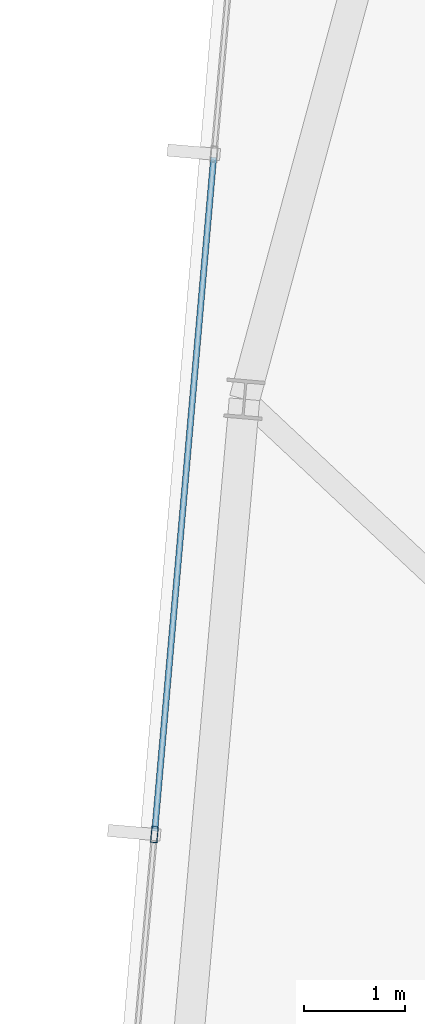
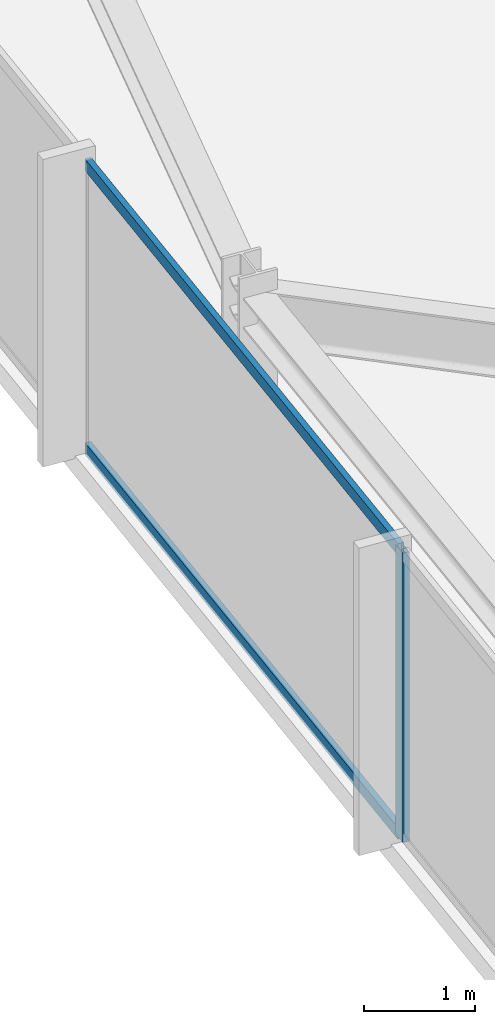
# One storey, part 9 of 33: 3 members, 1 element without a shape of its own.
"""IFC4 building model written with IfcOpenShell, lengths in metres."""

from ifc_helpers import new_model, si_unit, direction, frame, origin, origin_2d, place, context, subcontext, project, spatial, hollow_rectangle, extrude, material, material_profile, profile_set, type_object, element, aggregate, save


model = new_model("IFC4")

# Units and contexts
model_context = context("Model", 3, precision=1e-05, world=origin(), true_north=direction((0.0, 1.0)))
body_context = subcontext(model_context, "Body", "Model", "MODEL_VIEW")
ifc_project = project(units=[si_unit("LENGTHUNIT", "METRE"), si_unit("AREAUNIT", "SQUARE_METRE"), si_unit("VOLUMEUNIT", "CUBIC_METRE"), si_unit("PLANEANGLEUNIT", "RADIAN"), si_unit("MASSUNIT", "GRAM", prefix="KILO")], contexts=[model_context])

# Site, building, storey
site_placement = place(None, origin())
site = spatial("IfcSite", under=ifc_project, at=site_placement, CompositionType="ELEMENT")
building_placement = place(site_placement, origin())
building = spatial("IfcBuilding", under=site, at=building_placement, Name="Yelkora Congress Tower", CompositionType="ELEMENT")
storey_placement = place(building_placement, frame((0.0, 0.0, 289.699951171875)))
storey = spatial("IfcBuildingStorey", under=building, at=storey_placement, Name="L81", CompositionType="ELEMENT", Elevation=289.699951171875)

# Curtain wall, members
ifc_material_1 = material(Name="Anodised aluminium and insulated glass", Category="aluminium")
curtain_wall_type = type_object("IfcCurtainWallType", Name="CW-SYS-B5", PredefinedType="NOTDEFINED", material=ifc_material_1)
curtain_wall_placement = place(storey_placement, origin())
curtain_wall = element("IfcCurtainWall", 1, at=curtain_wall_placement, inside=storey, type_object=curtain_wall_type, Name="L81 Unitised Curtain Wall 5", PredefinedType="NOTDEFINED")
ifc_material_2 = material(Name="Anodised aluminium 6063-T6", Category="aluminium")
ifc_material_profile_1 = material_profile(ifc_material_2, hollow_rectangle(XDim=0.06494140625, YDim=0.159912109375, WallThickness=0.00390625, at=origin_2d()), Name="ALU 65x160x4")
ifc_profile_set_1 = profile_set([ifc_material_profile_1], Name="Anodised aluminium 6063-T6")
member_type_1 = type_object("IfcMemberType", Name="MEM-ML-B5", PredefinedType="MULLION", material=ifc_profile_set_1)
member_1_placement = place(storey_placement, frame((6.900146484375, 35.200927734375, 0.0), z_axis=(0.0, 0.0, 1.0), x_axis=(-0.996194785929, 0.08715473876, 0.0)))
member_1 = element("IfcMember", 2, at=member_1_placement, type_object=member_type_1, Name="CW-B5 mullion 3", PredefinedType="MULLION", context=body_context, shape_type="SweptSolid", body=[
    extrude(hollow_rectangle(XDim=0.06494140625, YDim=0.159912109375, WallThickness=0.00390625, at=origin_2d()), origin(), (0.0, 0.0, 1.0), 3.179931640625),
])
ifc_material_profile_2 = material_profile(ifc_material_2, hollow_rectangle(XDim=0.06005859375, YDim=0.1298828125, WallThickness=0.00390625, at=origin_2d()), Name="ALU 60x130x4")
ifc_profile_set_2 = profile_set([ifc_material_profile_2], Name="Anodised aluminium 6063-T6")
member_type_2 = type_object("IfcMemberType", Name="MEM-TR-B5", PredefinedType="USERDEFINED", material=ifc_profile_set_2)
member_2_placement = place(storey_placement, frame((6.903076171875, 35.2333984375, 0.030029296875), z_axis=(0.087143321513, 0.996195784731, 0.0), x_axis=(-0.996195784731, 0.087143321513, 0.0)))
member_2 = element("IfcMember", 3, at=member_2_placement, type_object=member_type_2, Name="CW-B5 transom 3.1", ObjectType="TRANSOM", PredefinedType="USERDEFINED", context=body_context, shape_type="SweptSolid", body=[
    extrude(hollow_rectangle(XDim=0.06005859375, YDim=0.1298828125, WallThickness=0.00390625, at=origin_2d()), origin(), (0.0, 0.0, 1.0), 6.6650390625),
])
member_3_placement = place(storey_placement, frame((6.903076171875, 35.2333984375, 3.150146484375), z_axis=(0.087143321513, 0.996195784731, 0.0), x_axis=(-0.996195784731, 0.087143321513, 0.0)))
member_3 = element("IfcMember", 4, at=member_3_placement, type_object=member_type_2, Name="CW-B5 transom 3.2", ObjectType="TRANSOM", PredefinedType="USERDEFINED", context=body_context, shape_type="SweptSolid", body=[
    extrude(hollow_rectangle(XDim=0.06005859375, YDim=0.1298828125, WallThickness=0.00390625, at=origin_2d()), origin(), (0.0, 0.0, 1.0), 6.6650390625),
])
aggregate(curtain_wall, [member_1, member_2, member_3])

save(model, "model.ifc")
